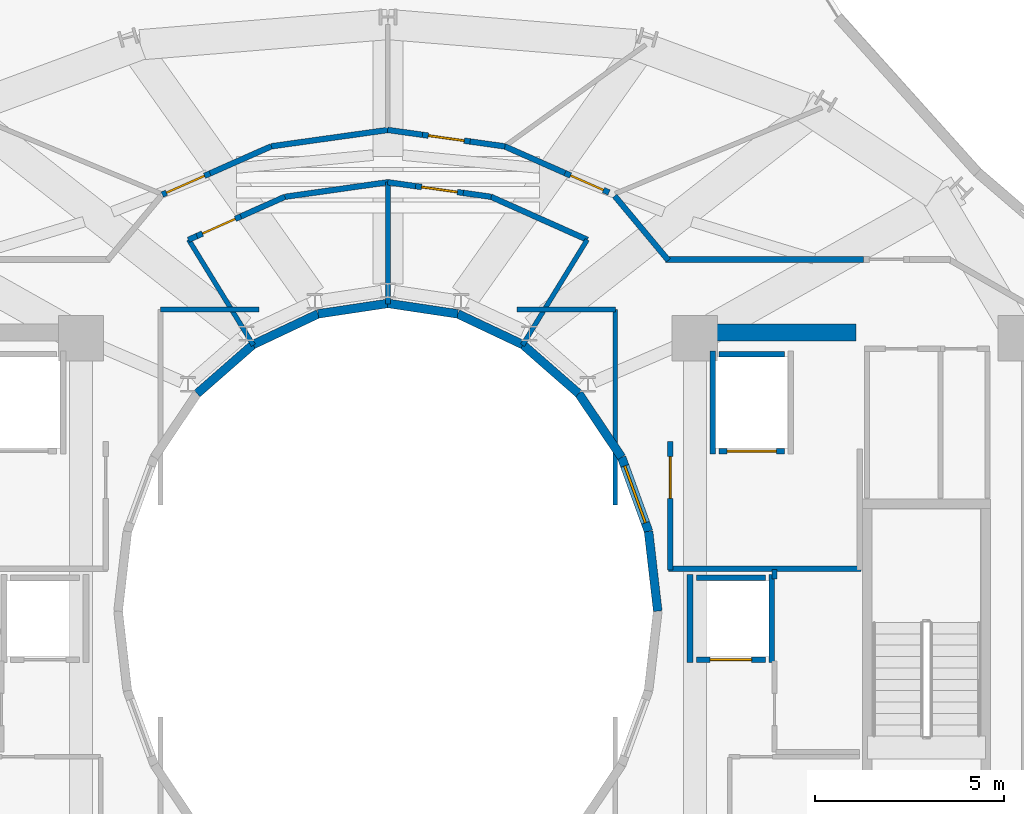
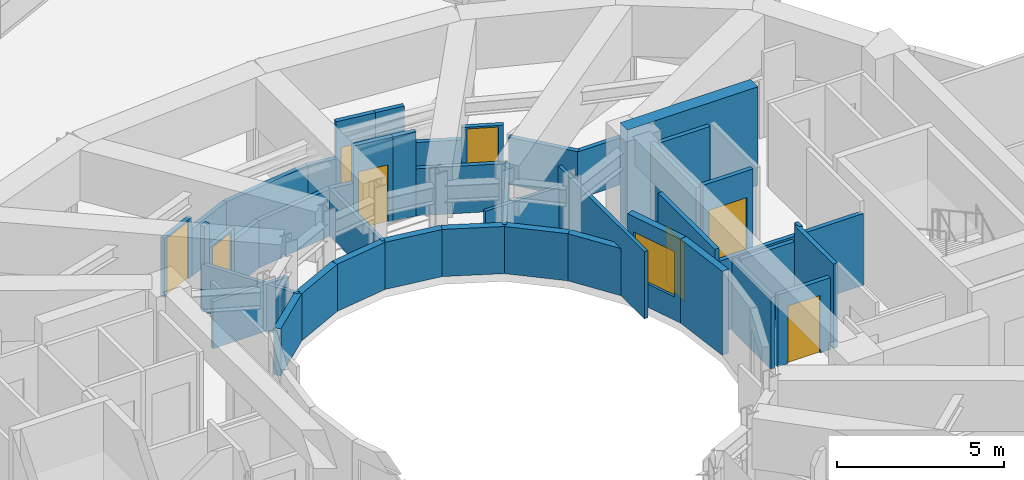
# One storey, part 16 of 21: 44 walls, 8 doors, 1 window, 9 openings.
"""IFC4 building model written with IfcOpenShell, lengths in metres."""

from ifc_helpers import new_model, si_unit, direction, frame, frame_2d, origin, place, context, subcontext, project, spatial, rectangle, extrude, material, layer, layer_set, type_object, element, fill, save


model = new_model("IFC4")

# Units and contexts
model_context = context("Model", 3, precision=1e-05, world=origin(), true_north=direction((0.0, 1.0)))
body_context = subcontext(model_context, "Body", "Model", "MODEL_VIEW")
ifc_project = project(units=[si_unit("LENGTHUNIT", "METRE"), si_unit("AREAUNIT", "SQUARE_METRE"), si_unit("VOLUMEUNIT", "CUBIC_METRE"), si_unit("PLANEANGLEUNIT", "RADIAN"), si_unit("MASSUNIT", "GRAM", prefix="KILO")], contexts=[model_context])

# Site, building, storey
site_placement = place(None, origin())
site = spatial("IfcSite", under=ifc_project, at=site_placement, CompositionType="ELEMENT")
building_placement = place(site_placement, origin())
building = spatial("IfcBuilding", under=site, at=building_placement, Name="Solvane Sanctuary Tower", CompositionType="ELEMENT")
storey_placement = place(building_placement, frame((0.0, 0.0, 256.800048828125)))
storey = spatial("IfcBuildingStorey", under=building, at=storey_placement, Name="L78", CompositionType="ELEMENT", Elevation=256.800048828125)

# Walls
ifc_material_1 = material(Name="Concrete C50/60", Category="concrete")
ifc_layer_1 = layer(ifc_material_1, 0.449951171875, Name="Concrete C50/60")
ifc_layer_set_1 = layer_set([ifc_layer_1], Name="Concrete C50/60")
wall_type_1 = type_object("IfcWallType", Name="Wall W-CORE-450", PredefinedType="SHEAR", material=ifc_layer_set_1)
wall_1_placement = place(storey_placement, frame((39.85009765625, 30.35009765625, 0.0), z_axis=(0.0, 0.0, 1.0), x_axis=(1.0, 0.0, 0.0)))
element("IfcWall", 1, at=wall_1_placement, inside=storey, type_object=wall_type_1, Name="L78 Core Shear Wall EC-N", PredefinedType="SHEAR", context=body_context, shape_type="SweptSolid", body=[
    extrude(rectangle(XDim=4.5, YDim=0.449951171875, at=frame_2d((2.25, 0.0))), origin(), (0.0, 0.0, 1.0), 3.599853515625),
])
ifc_material_2 = material(Name="Acoustic Gypsum Partition Board")
ifc_layer_2 = layer(ifc_material_2, 0.14990234375, Name="Acoustic Gypsum Partition Board")
ifc_layer_set_2 = layer_set([ifc_layer_2], Name="Acoustic Gypsum Partition Board")
wall_type_2 = type_object("IfcWallType", Name="Wall W-CORR-150", PredefinedType="PARTITIONING", material=ifc_layer_set_2)
wall_2_placement = place(storey_placement, frame((39.39990234375, 24.1201171875, 0.0), z_axis=(0.0, 0.0, 1.0), x_axis=(1.0, 0.0, 0.0)))
element("IfcWall", 2, at=wall_2_placement, inside=storey, type_object=wall_type_2, Name="L78 East Firefighting Lobby South Wall", PredefinedType="PARTITIONING", context=body_context, shape_type="SweptSolid", body=[
    extrude(rectangle(XDim=5.080078125, YDim=0.14990234375, at=frame_2d((2.5400390625, 0.0))), origin(), (0.0, 0.0, 1.0), 2.619873046875),
])

# Wall, opening, door
wall_3_placement = place(storey_placement, frame((39.449951171875, 24.080078125, 0.0), z_axis=(0.0, 0.0, 1.0), x_axis=(0.0, 1.0, 0.0)))
wall_3 = element("IfcWall", 3, at=wall_3_placement, inside=storey, type_object=wall_type_2, Name="L78 East Firefighting Lobby West Wall", PredefinedType="PARTITIONING", context=body_context, shape_type="SweptSolid", body=[
    extrude(rectangle(XDim=3.39990234375, YDim=0.14990234375, at=frame_2d((1.699951171875, 0.0))), origin(), (0.0, 0.0, 1.0), 3.074951171875),
])
opening_1_placement = place(wall_3_placement, frame((1.893798828125, 0.0, 0.0)))
opening_1 = element("IfcOpeningElement", 4, at=opening_1_placement, cuts=wall_3, Name="Opening D-L78-04", PredefinedType="OPENING", context=body_context, shape_type="SweptSolid", body=[
    extrude(rectangle(XDim=1.10009765625, YDim=2.10009765625, at=frame_2d((0.550048828125, 1.050048828125))), frame((0.0, 0.0849609375, 0.0), z_axis=(0.0, -1.0, 0.0), x_axis=(1.0, 0.0, 0.0)), (0.0, 0.0, 1.0), 0.169921875),
])
ifc_material_3 = material(Name="Architectural Stainless Steel 316", Category="steel")
door_type_1 = type_object("IfcDoorType", Name="Door D-FFL", OperationType="NOTDEFINED", PredefinedType="DOOR", material=ifc_material_3)
door_1_placement = place(opening_1_placement, origin())
door_1 = element("IfcDoor", 5, at=door_1_placement, inside=storey, type_object=door_type_1, Name="L78 East Firefighting Lobby Fire Door", OperationType="SINGLE_SWING_LEFT", OverallHeight=2.10009765625, OverallWidth=1.10009765625, PredefinedType="DOOR", context=body_context, shape_type="SweptSolid", body=[
    extrude(rectangle(XDim=1.10009765625, YDim=2.10009765625, at=frame_2d((0.550048828125, 1.050048828125))), frame((0.0, 0.02490234375, 0.0), z_axis=(0.0, -1.0, 0.0), x_axis=(1.0, 0.0, 0.0)), (0.0, 0.0, 1.0), 0.050048828125),
])
fill(opening_1, door_1)

# Walls
wall_4_placement = place(storey_placement, frame((37.265380859375, 32.797607421875, 0.0), z_axis=(0.0, 0.0, 1.0), x_axis=(-0.913254317828, 0.407389924971, 0.0)))
element("IfcWall", 6, at=wall_4_placement, inside=storey, type_object=wall_type_2, Name="L78 Light-Well Alcove Corridor Wall 1", PredefinedType="PARTITIONING", context=body_context, shape_type="SweptSolid", body=[
    extrude(rectangle(XDim=2.78662109375, YDim=0.14990234375, at=frame_2d((1.393310546875, 0.0))), origin(), (0.0, 0.0, 1.0), 1.719970703125),
])
wall_5_placement = place(storey_placement, frame((34.72412109375, 33.931884765625, 0.0), z_axis=(0.0, 0.0, 1.0), x_axis=(-0.990190745647, 0.13972217875, 0.0)))
element("IfcWall", 7, at=wall_5_placement, inside=storey, type_object=wall_type_2, Name="L78 Light-Well Alcove Corridor Wall 1", PredefinedType="PARTITIONING", context=body_context, shape_type="SweptSolid", body=[
    extrude(rectangle(XDim=0.744384765625, YDim=0.14990234375, at=frame_2d((0.3720703125, 0.0))), origin(), (0.0, 0.0, 1.0), 3.074951171875),
])

# Wall, opening, door
wall_6_placement = place(storey_placement, frame((33.987060546875, 34.035888671875, 0.0), z_axis=(0.0, 0.0, 1.0), x_axis=(-0.990133183593, 0.140129507055, 0.0)))
wall_6 = element("IfcWall", 8, at=wall_6_placement, inside=storey, type_object=wall_type_2, Name="L78 Light-Well Alcove Corridor Wall 1", PredefinedType="PARTITIONING", context=body_context, shape_type="SweptSolid", body=[
    extrude(rectangle(XDim=1.27001953125, YDim=0.14990234375, at=frame_2d((0.635009765625, 0.0))), origin(), (0.0, 0.0, 1.0), 3.074951171875),
])
opening_2_placement = place(wall_6_placement, frame((0.159912109375, 0.0, 0.0)))
opening_2 = element("IfcOpeningElement", 9, at=opening_2_placement, cuts=wall_6, Name="Opening D-L78-13", PredefinedType="OPENING", context=body_context, shape_type="SweptSolid", body=[
    extrude(rectangle(XDim=0.949951171875, YDim=2.10009765625, at=frame_2d((0.47509765625, 1.050048828125))), frame((0.0, 0.0849609375, 0.0), z_axis=(0.0, -1.0, 0.0), x_axis=(1.0, 0.0, 0.0)), (0.0, 0.0, 1.0), 0.169921875),
])
ifc_material_4 = material(Name="Engineered Tropical Hardwood", Category="wood")
door_type_2 = type_object("IfcDoorType", Name="Door D-ROOM-950", OperationType="NOTDEFINED", PredefinedType="DOOR", material=ifc_material_4)
door_2_placement = place(opening_2_placement, origin())
door_2 = element("IfcDoor", 10, at=door_2_placement, inside=storey, type_object=door_type_2, Name="L78 Light-Well Alcove Door 1", OperationType="SINGLE_SWING_RIGHT", OverallHeight=2.10009765625, OverallWidth=0.949951171875, PredefinedType="DOOR", context=body_context, shape_type="SweptSolid", body=[
    extrude(rectangle(XDim=0.949951171875, YDim=2.10009765625, at=frame_2d((0.47509765625, 1.050048828125))), frame((0.0, 0.02490234375, 0.0), z_axis=(0.0, -1.0, 0.0), x_axis=(1.0, 0.0, 0.0)), (0.0, 0.0, 1.0), 0.050048828125),
])
fill(opening_2, door_2)

# Walls
wall_7_placement = place(storey_placement, frame((32.7294921875, 34.2138671875, 0.0), z_axis=(0.0, 0.0, 1.0), x_axis=(-0.990138882688, 0.140089232242, 0.0)))
element("IfcWall", 11, at=wall_7_placement, inside=storey, type_object=wall_type_2, Name="L78 Light-Well Alcove Corridor Wall 1", PredefinedType="PARTITIONING", context=body_context, shape_type="SweptSolid", body=[
    extrude(rectangle(XDim=0.744140625, YDim=0.14990234375, at=frame_2d((0.3720703125, 0.0))), origin(), (0.0, 0.0, 1.0), 1.719970703125),
])
wall_8_placement = place(storey_placement, frame((32.00732421875, 34.318115234375, 0.0), z_axis=(0.0, 0.0, 1.0), x_axis=(-0.990150268487, -0.140008734782, 0.0)))
element("IfcWall", 12, at=wall_8_placement, inside=storey, type_object=wall_type_2, Name="L78 Light-Well Alcove Corridor Wall 2", PredefinedType="PARTITIONING", context=body_context, shape_type="SweptSolid", body=[
    extrude(rectangle(XDim=2.758544921875, YDim=0.14990234375, at=frame_2d((1.37939453125, 0.0))), origin(), (0.0, 0.0, 1.0), 1.719970703125),
])
wall_9_placement = place(storey_placement, frame((29.279541015625, 33.932861328125, 0.0), z_axis=(0.0, 0.0, 1.0), x_axis=(-0.913224654076, -0.407456416305, 0.0)))
element("IfcWall", 13, at=wall_9_placement, inside=storey, type_object=wall_type_2, Name="L78 Light-Well Alcove Corridor Wall 2", PredefinedType="PARTITIONING", context=body_context, shape_type="SweptSolid", body=[
    extrude(rectangle(XDim=1.271484375, YDim=0.14990234375, at=frame_2d((0.6357421875, 0.0))), origin(), (0.0, 0.0, 1.0), 1.719970703125),
])

# Wall, opening, door
wall_10_placement = place(storey_placement, frame((28.118408203125, 33.414794921875, 0.0), z_axis=(0.0, 0.0, 1.0), x_axis=(-0.913351162958, -0.407172755871, 0.0)))
wall_10 = element("IfcWall", 14, at=wall_10_placement, inside=storey, type_object=wall_type_2, Name="L78 Light-Well Alcove Corridor Wall 2", PredefinedType="PARTITIONING", context=body_context, shape_type="SweptSolid", body=[
    extrude(rectangle(XDim=1.27001953125, YDim=0.14990234375, at=frame_2d((0.635009765625, 0.0))), origin(), (0.0, 0.0, 1.0), 2.159912109375),
])
opening_3_placement = place(wall_10_placement, frame((0.159912109375, 0.0, 0.0)))
opening_3 = element("IfcOpeningElement", 15, at=opening_3_placement, cuts=wall_10, Name="Opening D-L78-14", PredefinedType="OPENING", context=body_context, shape_type="SweptSolid", body=[
    extrude(rectangle(XDim=0.949951171875, YDim=2.10009765625, at=frame_2d((0.47509765625, 1.050048828125))), frame((0.0, 0.0849609375, 0.0), z_axis=(0.0, -1.0, 0.0), x_axis=(1.0, 0.0, 0.0)), (0.0, 0.0, 1.0), 0.169921875),
])
door_3_placement = place(opening_3_placement, origin())
door_3 = element("IfcDoor", 16, at=door_3_placement, inside=storey, type_object=door_type_2, Name="L78 Light-Well Alcove Door 2", OperationType="SINGLE_SWING_LEFT", OverallHeight=2.10009765625, OverallWidth=0.949951171875, PredefinedType="DOOR", context=body_context, shape_type="SweptSolid", body=[
    extrude(rectangle(XDim=0.949951171875, YDim=2.10009765625, at=frame_2d((0.47509765625, 1.050048828125))), frame((0.0, 0.02490234375, 0.0), z_axis=(0.0, -1.0, 0.0), x_axis=(1.0, 0.0, 0.0)), (0.0, 0.0, 1.0), 0.050048828125),
])
fill(opening_3, door_3)

# Walls
wall_11_placement = place(storey_placement, frame((26.95849609375, 32.897705078125, 0.0), z_axis=(0.0, 0.0, 1.0), x_axis=(-0.912906122814, -0.408169585991, 0.0)))
element("IfcWall", 17, at=wall_11_placement, inside=storey, type_object=wall_type_2, Name="L78 Light-Well Alcove Corridor Wall 2", PredefinedType="PARTITIONING", context=body_context, shape_type="SweptSolid", body=[
    extrude(rectangle(XDim=0.2451171875, YDim=0.14990234375, at=frame_2d((0.12255859375, 0.0))), origin(), (0.0, 0.0, 1.0), 3.074951171875),
])
wall_12_placement = place(storey_placement, frame((37.984130859375, 33.95458984375, 0.0), z_axis=(0.0, 0.0, 1.0), x_axis=(0.64030392053, -0.76812166312, 0.0)))
element("IfcWall", 18, at=wall_12_placement, inside=storey, type_object=wall_type_2, Name="L78 NE Corner Throat Wall", PredefinedType="PARTITIONING", context=body_context, shape_type="SweptSolid", body=[
    extrude(rectangle(XDim=2.2099609375, YDim=0.14990234375, at=frame_2d((1.10498046875, 0.0))), origin(), (0.0, 0.0, 1.0), 1.719970703125),
])
wall_13_placement = place(storey_placement, frame((39.330078125, 32.280029296875, 0.0), z_axis=(0.0, 0.0, 1.0), x_axis=(1.0, 0.0, 0.0)))
element("IfcWall", 19, at=wall_13_placement, inside=storey, type_object=wall_type_2, Name="L78 NE Corner Corridor Wall", PredefinedType="PARTITIONING", context=body_context, shape_type="SweptSolid", body=[
    extrude(rectangle(XDim=5.217529296875, YDim=0.14990234375, at=frame_2d((2.60888671875, 0.0))), origin(), (0.0, 0.0, 1.0), 1.719970703125),
])

# Wall, opening, door
wall_14_placement = place(storey_placement, frame((37.834228515625, 34.04638671875, 0.0), z_axis=(0.0, 0.0, 1.0), x_axis=(-0.914641976237, 0.404264833129, 0.0)))
wall_14 = element("IfcWall", 20, at=wall_14_placement, inside=storey, type_object=wall_type_2, Name="L78 Sky Promenade Corridor Wall N1", PredefinedType="PARTITIONING", context=body_context, shape_type="SweptSolid", body=[
    extrude(rectangle(XDim=1.27001953125, YDim=0.14990234375, at=frame_2d((0.635009765625, 0.0))), origin(), (0.0, 0.0, 1.0), 2.159912109375),
])
opening_4_placement = place(wall_14_placement, frame((0.159912109375, 0.0, 0.0)))
opening_4 = element("IfcOpeningElement", 21, at=opening_4_placement, cuts=wall_14, Name="Opening D-L78-25", PredefinedType="OPENING", context=body_context, shape_type="SweptSolid", body=[
    extrude(rectangle(XDim=0.949951171875, YDim=2.10009765625, at=frame_2d((0.47509765625, 1.050048828125))), frame((0.0, 0.0849609375, 0.0), z_axis=(0.0, -1.0, 0.0), x_axis=(1.0, 0.0, 0.0)), (0.0, 0.0, 1.0), 0.169921875),
])
door_4_placement = place(opening_4_placement, origin())
door_4 = element("IfcDoor", 22, at=door_4_placement, inside=storey, type_object=door_type_2, Name="L78 Sky Hall Entrance Door N1", OperationType="SINGLE_SWING_RIGHT", OverallHeight=2.10009765625, OverallWidth=0.949951171875, PredefinedType="DOOR", context=body_context, shape_type="SweptSolid", body=[
    extrude(rectangle(XDim=0.949951171875, YDim=2.10009765625, at=frame_2d((0.47509765625, 1.050048828125))), frame((0.0, 0.02490234375, 0.0), z_axis=(0.0, -1.0, 0.0), x_axis=(1.0, 0.0, 0.0)), (0.0, 0.0, 1.0), 0.050048828125),
])
fill(opening_4, door_4)

# Walls
wall_15_placement = place(storey_placement, frame((36.672607421875, 34.559814453125, 0.0), z_axis=(0.0, 0.0, 1.0), x_axis=(-0.914643439219, 0.404261523143, 0.0)))
element("IfcWall", 23, at=wall_15_placement, inside=storey, type_object=wall_type_2, Name="L78 Sky Promenade Corridor Wall N1", PredefinedType="PARTITIONING", context=body_context, shape_type="SweptSolid", body=[
    extrude(rectangle(XDim=1.750732421875, YDim=0.14990234375, at=frame_2d((0.87548828125, 0.0))), origin(), (0.0, 0.0, 1.0), 1.719970703125),
])
wall_16_placement = place(storey_placement, frame((35.08740234375, 35.262939453125, 0.0), z_axis=(0.0, 0.0, 1.0), x_axis=(-0.990267912895, 0.139174209862, 0.0)))
element("IfcWall", 24, at=wall_16_placement, inside=storey, type_object=wall_type_2, Name="L78 Sky Promenade Corridor Wall N2", PredefinedType="PARTITIONING", context=body_context, shape_type="SweptSolid", body=[
    extrude(rectangle(XDim=0.927978515625, YDim=0.14990234375, at=frame_2d((0.4638671875, 0.0))), origin(), (0.0, 0.0, 1.0), 3.074951171875),
])

# Wall, opening, door
wall_17_placement = place(storey_placement, frame((34.16845703125, 35.39208984375, 0.0), z_axis=(0.0, 0.0, 1.0), x_axis=(-0.990266103741, 0.139187081947, 0.0)))
wall_17 = element("IfcWall", 25, at=wall_17_placement, inside=storey, type_object=wall_type_2, Name="L78 Sky Promenade Corridor Wall N2", PredefinedType="PARTITIONING", context=body_context, shape_type="SweptSolid", body=[
    extrude(rectangle(XDim=1.27001953125, YDim=0.14990234375, at=frame_2d((0.635009765625, 0.0))), origin(), (0.0, 0.0, 1.0), 3.074951171875),
])
opening_5_placement = place(wall_17_placement, frame((0.159912109375, 0.0, 0.0)))
opening_5 = element("IfcOpeningElement", 26, at=opening_5_placement, cuts=wall_17, Name="Opening D-L78-26", PredefinedType="OPENING", context=body_context, shape_type="SweptSolid", body=[
    extrude(rectangle(XDim=0.949951171875, YDim=2.10009765625, at=frame_2d((0.47509765625, 1.050048828125))), frame((0.0, 0.0849609375, 0.0), z_axis=(0.0, -1.0, 0.0), x_axis=(1.0, 0.0, 0.0)), (0.0, 0.0, 1.0), 0.169921875),
])
door_5_placement = place(opening_5_placement, origin())
door_5 = element("IfcDoor", 27, at=door_5_placement, inside=storey, type_object=door_type_2, Name="L78 Sky Hall Entrance Door N2", OperationType="SINGLE_SWING_LEFT", OverallHeight=2.10009765625, OverallWidth=0.949951171875, PredefinedType="DOOR", context=body_context, shape_type="SweptSolid", body=[
    extrude(rectangle(XDim=0.949951171875, YDim=2.10009765625, at=frame_2d((0.47509765625, 1.050048828125))), frame((0.0, 0.02490234375, 0.0), z_axis=(0.0, -1.0, 0.0), x_axis=(1.0, 0.0, 0.0)), (0.0, 0.0, 1.0), 0.050048828125),
])
fill(opening_5, door_5)

# Walls
wall_18_placement = place(storey_placement, frame((32.910888671875, 35.56884765625, 0.0), z_axis=(0.0, 0.0, 1.0), x_axis=(-0.990273006801, 0.139137960318, 0.0)))
element("IfcWall", 28, at=wall_18_placement, inside=storey, type_object=wall_type_2, Name="L78 Sky Promenade Corridor Wall N2", PredefinedType="PARTITIONING", context=body_context, shape_type="SweptSolid", body=[
    extrude(rectangle(XDim=0.92822265625, YDim=0.14990234375, at=frame_2d((0.464111328125, 0.0))), origin(), (0.0, 0.0, 1.0), 1.719970703125),
])
wall_19_placement = place(storey_placement, frame((32.00830078125, 35.697998046875, 0.0), z_axis=(0.0, 0.0, 1.0), x_axis=(-0.990317017221, -0.138824368909, 0.0)))
element("IfcWall", 29, at=wall_19_placement, inside=storey, type_object=wall_type_2, Name="L78 Sky Promenade Corridor Wall N3", PredefinedType="PARTITIONING", context=body_context, shape_type="SweptSolid", body=[
    extrude(rectangle(XDim=3.119873046875, YDim=0.14990234375, at=frame_2d((1.56005859375, 0.0))), origin(), (0.0, 0.0, 1.0), 1.719970703125),
])
wall_20_placement = place(storey_placement, frame((28.922607421875, 35.265869140625, 0.0), z_axis=(0.0, 0.0, 1.0), x_axis=(-0.914533372748, -0.404510457381, 0.0)))
element("IfcWall", 30, at=wall_20_placement, inside=storey, type_object=wall_type_2, Name="L78 Sky Promenade Corridor Wall N3", PredefinedType="PARTITIONING", context=body_context, shape_type="SweptSolid", body=[
    extrude(rectangle(XDim=1.767822265625, YDim=0.14990234375, at=frame_2d((0.8837890625, 0.0))), origin(), (0.0, 0.0, 1.0), 1.719970703125),
])

# Wall, opening, door
wall_21_placement = place(storey_placement, frame((27.305908203125, 34.55078125, 0.0), z_axis=(0.0, 0.0, 1.0), x_axis=(-0.914517719088, -0.404545845949, 0.0)))
wall_21 = element("IfcWall", 31, at=wall_21_placement, inside=storey, type_object=wall_type_2, Name="L78 Sky Promenade Corridor Wall N3", PredefinedType="PARTITIONING", context=body_context, shape_type="SweptSolid", body=[
    extrude(rectangle(XDim=1.380126953125, YDim=0.14990234375, at=frame_2d((0.68994140625, 0.0))), origin(), (0.0, 0.0, 1.0), 2.159912109375),
])
opening_6_placement = place(wall_21_placement, frame((0.159912109375, 0.0, 0.0)))
opening_6 = element("IfcOpeningElement", 32, at=opening_6_placement, cuts=wall_21, Name="Opening D-L78-27", PredefinedType="OPENING", context=body_context, shape_type="SweptSolid", body=[
    extrude(rectangle(XDim=1.10009765625, YDim=2.10009765625, at=frame_2d((0.550048828125, 1.050048828125))), frame((0.0, 0.0849609375, 0.0), z_axis=(0.0, -1.0, 0.0), x_axis=(1.0, 0.0, 0.0)), (0.0, 0.0, 1.0), 0.169921875),
])
door_6_placement = place(opening_6_placement, origin())
door_6 = element("IfcDoor", 33, at=door_6_placement, inside=storey, type_object=door_type_1, Name="L78 Sky Hall Entrance Door N3", OperationType="SINGLE_SWING_RIGHT", OverallHeight=2.10009765625, OverallWidth=1.10009765625, PredefinedType="DOOR", context=body_context, shape_type="SweptSolid", body=[
    extrude(rectangle(XDim=1.10009765625, YDim=2.10009765625, at=frame_2d((0.550048828125, 1.050048828125))), frame((0.0, 0.02490234375, 0.0), z_axis=(0.0, -1.0, 0.0), x_axis=(1.0, 0.0, 0.0)), (0.0, 0.0, 1.0), 0.050048828125),
])
fill(opening_6, door_6)

# Wall
ifc_material_5 = material(Name="Precast concrete C40/50", Category="concrete")
ifc_layer_3 = layer(ifc_material_5, 0.22998046875, Name="Precast concrete C40/50")
ifc_layer_set_3 = layer_set([ifc_layer_3], Name="Precast concrete C40/50")
wall_type_3 = type_object("IfcWallType", Name="Wall W-EXT-SP220", PredefinedType="STANDARD", material=ifc_layer_set_3)
wall_22_placement = place(storey_placement, frame((39.1201171875, 23.0, 0.0), z_axis=(0.0, 0.0, 1.0), x_axis=(-0.114711713601, 0.993398823617, 0.0)))
element("IfcWall", 34, at=wall_22_placement, inside=storey, type_object=wall_type_3, Name="L78 Central Light-Well Wall 00", PredefinedType="STANDARD", context=body_context, shape_type="SweptSolid", body=[
    extrude(rectangle(XDim=2.115478515625, YDim=0.22998046875, at=frame_2d((1.0576171875, 0.0))), origin(), (0.0, 0.0, 1.0), 3.06005859375),
])

# Wall, opening, window
wall_23_placement = place(storey_placement, frame((38.87744140625, 25.1015625, 0.0), z_axis=(0.0, 0.0, 1.0), x_axis=(-0.341423187295, 0.93990968033, 0.0)))
wall_23 = element("IfcWall", 35, at=wall_23_placement, inside=storey, type_object=wall_type_3, Name="L78 Central Light-Well Wall 01", PredefinedType="STANDARD", context=body_context, shape_type="SweptSolid", body=[
    extrude(rectangle(XDim=2.083740234375, YDim=0.22998046875, at=frame_2d((1.0419921875, 0.0))), origin(), (0.0, 0.0, 1.0), 3.06005859375),
])
opening_7_placement = place(wall_23_placement, frame((0.24169921875, 0.0, 0.85009765625)))
opening_7 = element("IfcOpeningElement", 36, at=opening_7_placement, cuts=wall_23, Name="Opening WN-WELL-1600", PredefinedType="OPENING", context=body_context, shape_type="SweptSolid", body=[
    extrude(rectangle(XDim=1.60009765625, YDim=1.64990234375, at=frame_2d((0.800048828125, 0.824951171875))), frame((0.0, 0.125, 0.0), z_axis=(0.0, -1.0, 0.0), x_axis=(1.0, 0.0, 0.0)), (0.0, 0.0, 1.0), 0.25),
])
ifc_material_6 = material(Name="Clear Laminated Light-Well Glass", Category="glass")
window_type = type_object("IfcWindowType", Name="Window WN-WELL-1600", PartitioningType="SINGLE_PANEL", PredefinedType="WINDOW", material=ifc_material_6)
window_placement = place(opening_7_placement, origin())
window = element("IfcWindow", 37, at=window_placement, inside=storey, type_object=window_type, Name="L78 Light-Well Daylight Window 01", OverallHeight=1.64990234375, OverallWidth=1.60009765625, PartitioningType="SINGLE_PANEL", PredefinedType="WINDOW", context=body_context, shape_type="SweptSolid", body=[
    extrude(rectangle(XDim=1.60009765625, YDim=1.64990234375, at=frame_2d((0.800048828125, 0.824951171875))), frame((0.0, 0.030029296875, 0.0), z_axis=(0.0, -1.0, 0.0), x_axis=(1.0, 0.0, 0.0)), (0.0, 0.0, 1.0), 0.06005859375),
])
fill(opening_7, window)

# Walls
wall_24_placement = place(storey_placement, frame((38.166015625, 27.06005859375, 0.0), z_axis=(0.0, 0.0, 1.0), x_axis=(-0.558197800898, 0.829707909492, 0.0)))
element("IfcWall", 38, at=wall_24_placement, inside=storey, type_object=wall_type_3, Name="L78 Central Light-Well Wall 02", PredefinedType="STANDARD", context=body_context, shape_type="SweptSolid", body=[
    extrude(rectangle(XDim=2.02685546875, YDim=0.22998046875, at=frame_2d((1.013427734375, 0.0))), origin(), (0.0, 0.0, 1.0), 1.719970703125),
])
wall_25_placement = place(storey_placement, frame((37.03466796875, 28.74169921875, 0.0), z_axis=(0.0, 0.0, 1.0), x_axis=(-0.752576694707, 0.658504607869, 0.0)))
element("IfcWall", 39, at=wall_25_placement, inside=storey, type_object=wall_type_3, Name="L78 Central Light-Well Wall 03", PredefinedType="STANDARD", context=body_context, shape_type="SweptSolid", body=[
    extrude(rectangle(XDim=1.95947265625, YDim=0.22998046875, at=frame_2d((0.979736328125, 0.0))), origin(), (0.0, 0.0, 1.0), 1.719970703125),
])
wall_26_placement = place(storey_placement, frame((35.56005859375, 30.031982421875, 0.0), z_axis=(0.0, 0.0, 1.0), x_axis=(-0.904179699603, 0.427152280606, 0.0)))
element("IfcWall", 40, at=wall_26_placement, inside=storey, type_object=wall_type_3, Name="L78 Central Light-Well Wall 04", PredefinedType="STANDARD", context=body_context, shape_type="SweptSolid", body=[
    extrude(rectangle(XDim=1.899169921875, YDim=0.22998046875, at=frame_2d((0.94970703125, 0.0))), origin(), (0.0, 0.0, 1.0), 1.719970703125),
])
for number, where, z_axis, x_axis, name in (
    (41, (33.8427734375, 30.84326171875, 0.0), (0.0, 0.0, 1.0), (-0.988901730308, 0.148571086668, 0.0), "L78 Central Light-Well Wall 05"),
    (42, (32.0, 31.1201171875, 0.0), (0.0, 0.0, 1.0), (-0.988901730308, -0.148571086668, 0.0), "L78 Central Light-Well Wall 06"),
):
    element("IfcWall", number, at=place(storey_placement, frame(where, z_axis=z_axis, x_axis=x_axis)), inside=storey, type_object=wall_type_3, Name=name, PredefinedType="STANDARD", context=body_context, shape_type="SweptSolid", body=[
        extrude(rectangle(XDim=1.863525390625, YDim=0.22998046875, at=frame_2d((0.931640625, 0.0))), origin(), (0.0, 0.0, 1.0), 1.719970703125),
    ])
wall_27_placement = place(storey_placement, frame((30.1572265625, 30.84326171875, 0.0), z_axis=(0.0, 0.0, 1.0), x_axis=(-0.904179699603, -0.427152280606, 0.0)))
element("IfcWall", 43, at=wall_27_placement, inside=storey, type_object=wall_type_3, Name="L78 Central Light-Well Wall 07", PredefinedType="STANDARD", context=body_context, shape_type="SweptSolid", body=[
    extrude(rectangle(XDim=1.899169921875, YDim=0.22998046875, at=frame_2d((0.94970703125, 0.0))), origin(), (0.0, 0.0, 1.0), 1.719970703125),
])
wall_28_placement = place(storey_placement, frame((28.43994140625, 30.031982421875, 0.0), z_axis=(0.0, 0.0, 1.0), x_axis=(-0.752576694707, -0.658504607869, 0.0)))
element("IfcWall", 44, at=wall_28_placement, inside=storey, type_object=wall_type_3, Name="L78 Central Light-Well Wall 08", PredefinedType="STANDARD", context=body_context, shape_type="SweptSolid", body=[
    extrude(rectangle(XDim=1.95947265625, YDim=0.22998046875, at=frame_2d((0.979736328125, 0.0))), origin(), (0.0, 0.0, 1.0), 1.719970703125),
])
ifc_layer_4 = layer(ifc_material_2, 0.125, Name="Acoustic Gypsum Partition Board")
ifc_layer_set_4 = layer_set([ifc_layer_4], Name="Acoustic Gypsum Partition Board")
wall_type_4 = type_object("IfcWallType", Name="Wall W-PART-125", PredefinedType="PARTITIONING", material=ifc_layer_set_4)
wall_29_placement = place(storey_placement, frame((42.199951171875, 23.85009765625, 0.0), z_axis=(0.0, 0.0, 1.0), x_axis=(0.0, 1.0, 0.0)))
element("IfcWall", 45, at=wall_29_placement, inside=storey, type_object=wall_type_4, Name="L78 Reclaimed Room Dividing Wall PME", PredefinedType="PARTITIONING", context=body_context, shape_type="SweptSolid", body=[
    extrude(rectangle(XDim=0.25, YDim=0.125, at=frame_2d((0.125, 0.0))), origin(), (0.0, 0.0, 1.0), 3.074951171875),
])
wall_30_placement = place(storey_placement, frame((35.550048828125, 30.014892578125, 0.0), z_axis=(0.0, 0.0, 1.0), x_axis=(0.522763432117, 0.852477796802, 0.0)))
element("IfcWall", 46, at=wall_30_placement, inside=storey, type_object=wall_type_4, Name="L78 Light-Well Alcove Radial Wall 60", PredefinedType="PARTITIONING", context=body_context, shape_type="SweptSolid", body=[
    extrude(rectangle(XDim=3.26904296875, YDim=0.125, at=frame_2d((1.634521484375, 0.0))), origin(), (0.0, 0.0, 1.0), 1.719970703125),
])
wall_31_placement = place(storey_placement, frame((32.0, 31.10009765625, 0.0), z_axis=(0.0, 0.0, 1.0), x_axis=(0.0, 1.0, 0.0)))
element("IfcWall", 47, at=wall_31_placement, inside=storey, type_object=wall_type_4, Name="L78 Light-Well Alcove Radial Wall 90", PredefinedType="PARTITIONING", context=body_context, shape_type="SweptSolid", body=[
    extrude(rectangle(XDim=3.218017578125, YDim=0.125, at=frame_2d((1.60888671875, 0.0))), origin(), (0.0, 0.0, 1.0), 1.719970703125),
])
wall_32_placement = place(storey_placement, frame((28.449951171875, 30.014892578125, 0.0), z_axis=(0.0, 0.0, 1.0), x_axis=(-0.522763432117, 0.852477796802, 0.0)))
element("IfcWall", 48, at=wall_32_placement, inside=storey, type_object=wall_type_4, Name="L78 Light-Well Alcove Radial Wall 120", PredefinedType="PARTITIONING", context=body_context, shape_type="SweptSolid", body=[
    extrude(rectangle(XDim=3.26904296875, YDim=0.125, at=frame_2d((1.634521484375, 0.0))), origin(), (0.0, 0.0, 1.0), 1.719970703125),
])
wall_33_placement = place(storey_placement, frame((26.0, 30.9599609375, 0.0), z_axis=(0.0, 0.0, 1.0), x_axis=(1.0, 0.0, 0.0)))
element("IfcWall", 49, at=wall_33_placement, inside=storey, type_object=wall_type_4, Name="L78 Bridge Alcove Wall 2", PredefinedType="PARTITIONING", context=body_context, shape_type="SweptSolid", body=[
    extrude(rectangle(XDim=2.60009765625, YDim=0.125, at=frame_2d((1.300048828125, 0.0))), origin(), (0.0, 0.0, 1.0), 1.719970703125),
])
wall_34_placement = place(storey_placement, frame((38.0, 25.800048828125, 0.0), z_axis=(0.0, 0.0, 1.0), x_axis=(0.0, 1.0, 0.0)))
element("IfcWall", 50, at=wall_34_placement, inside=storey, type_object=wall_type_4, Name="L78 Bridge Alcove Wall 3", PredefinedType="PARTITIONING", context=body_context, shape_type="SweptSolid", body=[
    extrude(rectangle(XDim=5.159912109375, YDim=0.125, at=frame_2d((2.580078125, 0.0))), origin(), (0.0, 0.0, 1.0), 2.451904296875),
])
wall_35_placement = place(storey_placement, frame((35.39990234375, 30.9599609375, 0.0), z_axis=(0.0, 0.0, 1.0), x_axis=(1.0, 0.0, 0.0)))
element("IfcWall", 51, at=wall_35_placement, inside=storey, type_object=wall_type_4, Name="L78 Bridge Alcove Wall 4", PredefinedType="PARTITIONING", context=body_context, shape_type="SweptSolid", body=[
    extrude(rectangle(XDim=2.60009765625, YDim=0.125, at=frame_2d((1.300048828125, 0.0))), origin(), (0.0, 0.0, 1.0), 1.719970703125),
])

# Wall, opening, door
ifc_layer_5 = layer(ifc_material_1, 0.14990234375, Name="Concrete C50/60")
ifc_layer_set_5 = layer_set([ifc_layer_5], Name="Concrete C50/60")
wall_type_5 = type_object("IfcWallType", Name="Wall W-SHAFT-150", PredefinedType="SOLIDWALL", material=ifc_layer_set_5)
wall_36_placement = place(storey_placement, frame((40.139892578125, 21.719970703125, 0.0), z_axis=(0.0, 0.0, 1.0), x_axis=(1.0, 0.0, 0.0)))
wall_36 = element("IfcWall", 52, at=wall_36_placement, inside=storey, type_object=wall_type_5, Name="L78 PH-2 Lift Shaft Wall F", PredefinedType="SOLIDWALL", context=body_context, shape_type="SweptSolid", body=[
    extrude(rectangle(XDim=1.820068359375, YDim=0.14990234375, at=frame_2d((0.91015625, 0.0))), origin(), (0.0, 0.0, 1.0), 2.619873046875),
])
opening_8_placement = place(wall_36_placement, frame((0.360107421875, 0.0, 0.0)))
opening_8 = element("IfcOpeningElement", 53, at=opening_8_placement, cuts=wall_36, Name="Opening LD-L78-02", PredefinedType="OPENING", context=body_context, shape_type="SweptSolid", body=[
    extrude(rectangle(XDim=1.10009765625, YDim=2.10009765625, at=frame_2d((0.550048828125, 1.050048828125))), frame((0.0, 0.0849609375, 0.0), z_axis=(0.0, -1.0, 0.0), x_axis=(1.0, 0.0, 0.0)), (0.0, 0.0, 1.0), 0.169921875),
])
door_type_3 = type_object("IfcDoorType", Name="Door LD-PASS-1100", OperationType="NOTDEFINED", PredefinedType="DOOR", material=ifc_material_3)
door_7_placement = place(opening_8_placement, origin())
door_7 = element("IfcDoor", 54, at=door_7_placement, inside=storey, type_object=door_type_3, Name="L78 PH-2 Lift Landing Door", OperationType="DOUBLE_DOOR_SLIDING", OverallHeight=2.10009765625, OverallWidth=1.10009765625, PredefinedType="DOOR", context=body_context, shape_type="SweptSolid", body=[
    extrude(rectangle(XDim=1.10009765625, YDim=2.10009765625, at=frame_2d((0.550048828125, 1.050048828125))), frame((0.0, 0.02490234375, 0.0), z_axis=(0.0, -1.0, 0.0), x_axis=(1.0, 0.0, 0.0)), (0.0, 0.0, 1.0), 0.050048828125),
])
fill(opening_8, door_7)

# Walls
wall_37_placement = place(storey_placement, frame((40.139892578125, 23.8798828125, 0.0), z_axis=(0.0, 0.0, 1.0), x_axis=(1.0, 0.0, 0.0)))
element("IfcWall", 55, at=wall_37_placement, inside=storey, type_object=wall_type_5, Name="L78 PH-2 Lift Shaft Wall B", PredefinedType="SOLIDWALL", context=body_context, shape_type="SweptSolid", body=[
    extrude(rectangle(XDim=1.820068359375, YDim=0.14990234375, at=frame_2d((0.91015625, 0.0))), origin(), (0.0, 0.0, 1.0), 2.619873046875),
])
wall_38_placement = place(storey_placement, frame((39.969970703125, 21.639892578125, 0.0), z_axis=(0.0, 0.0, 1.0), x_axis=(0.0, 1.0, 0.0)))
element("IfcWall", 56, at=wall_38_placement, inside=storey, type_object=wall_type_5, Name="L78 PH-2 Lift Shaft Wall S1", PredefinedType="SOLIDWALL", context=body_context, shape_type="SweptSolid", body=[
    extrude(rectangle(XDim=2.320068359375, YDim=0.14990234375, at=frame_2d((1.16015625, 0.0))), origin(), (0.0, 0.0, 1.0), 2.619873046875),
])
wall_39_placement = place(storey_placement, frame((42.1298828125, 21.639892578125, 0.0), z_axis=(0.0, 0.0, 1.0), x_axis=(0.0, 1.0, 0.0)))
element("IfcWall", 57, at=wall_39_placement, inside=storey, type_object=wall_type_5, Name="L78 PH-2 Lift Shaft Wall S2", PredefinedType="SOLIDWALL", context=body_context, shape_type="SweptSolid", body=[
    extrude(rectangle(XDim=2.320068359375, YDim=0.14990234375, at=frame_2d((1.16015625, 0.0))), origin(), (0.0, 0.0, 1.0), 3.074951171875),
])

# Wall, opening, door
wall_40_placement = place(storey_placement, frame((40.739990234375, 27.219970703125, 0.0), z_axis=(0.0, 0.0, 1.0), x_axis=(1.0, 0.0, 0.0)))
wall_40 = element("IfcWall", 58, at=wall_40_placement, inside=storey, type_object=wall_type_5, Name="L78 FFL-2 Lift Shaft Wall F", PredefinedType="SOLIDWALL", context=body_context, shape_type="SweptSolid", body=[
    extrude(rectangle(XDim=1.719970703125, YDim=0.14990234375, at=frame_2d((0.85986328125, 0.0))), origin(), (0.0, 0.0, 1.0), 3.074951171875),
])
opening_9_placement = place(wall_40_placement, frame((0.2099609375, 0.0, 0.0)))
opening_9 = element("IfcOpeningElement", 59, at=opening_9_placement, cuts=wall_40, Name="Opening LD-L78-05", PredefinedType="OPENING", context=body_context, shape_type="SweptSolid", body=[
    extrude(rectangle(XDim=1.300048828125, YDim=2.10009765625, at=frame_2d((0.64990234375, 1.050048828125))), frame((0.0, 0.0849609375, 0.0), z_axis=(0.0, -1.0, 0.0), x_axis=(1.0, 0.0, 0.0)), (0.0, 0.0, 1.0), 0.169921875),
])
door_type_4 = type_object("IfcDoorType", Name="Door LD-FFL-1300", OperationType="NOTDEFINED", PredefinedType="DOOR", material=ifc_material_3)
door_8_placement = place(opening_9_placement, origin())
door_8 = element("IfcDoor", 60, at=door_8_placement, inside=storey, type_object=door_type_4, Name="L78 FFL-2 Lift Landing Door", OperationType="DOUBLE_DOOR_SLIDING", OverallHeight=2.10009765625, OverallWidth=1.300048828125, PredefinedType="DOOR", context=body_context, shape_type="SweptSolid", body=[
    extrude(rectangle(XDim=1.300048828125, YDim=2.10009765625, at=frame_2d((0.64990234375, 1.050048828125))), frame((0.0, 0.02490234375, 0.0), z_axis=(0.0, -1.0, 0.0), x_axis=(1.0, 0.0, 0.0)), (0.0, 0.0, 1.0), 0.050048828125),
])
fill(opening_9, door_8)

# Walls
wall_41_placement = place(storey_placement, frame((40.739990234375, 29.780029296875, 0.0), z_axis=(0.0, 0.0, 1.0), x_axis=(1.0, 0.0, 0.0)))
element("IfcWall", 61, at=wall_41_placement, inside=storey, type_object=wall_type_5, Name="L78 FFL-2 Lift Shaft Wall B", PredefinedType="SOLIDWALL", context=body_context, shape_type="SweptSolid", body=[
    extrude(rectangle(XDim=1.719970703125, YDim=0.14990234375, at=frame_2d((0.85986328125, 0.0))), origin(), (0.0, 0.0, 1.0), 3.074951171875),
])
wall_42_placement = place(storey_placement, frame((40.570068359375, 27.139892578125, 0.0), z_axis=(0.0, 0.0, 1.0), x_axis=(0.0, 1.0, 0.0)))
element("IfcWall", 62, at=wall_42_placement, inside=storey, type_object=wall_type_5, Name="L78 FFL-2 Lift Shaft Wall S1", PredefinedType="SOLIDWALL", context=body_context, shape_type="SweptSolid", body=[
    extrude(rectangle(XDim=2.72021484375, YDim=0.14990234375, at=frame_2d((1.360107421875, 0.0))), origin(), (0.0, 0.0, 1.0), 3.074951171875),
])

save(model, "model.ifc")
